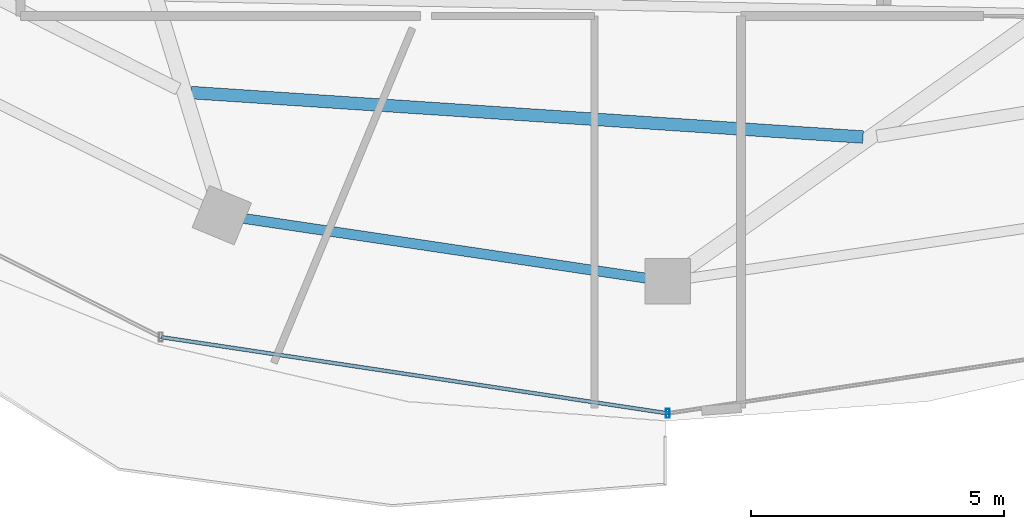
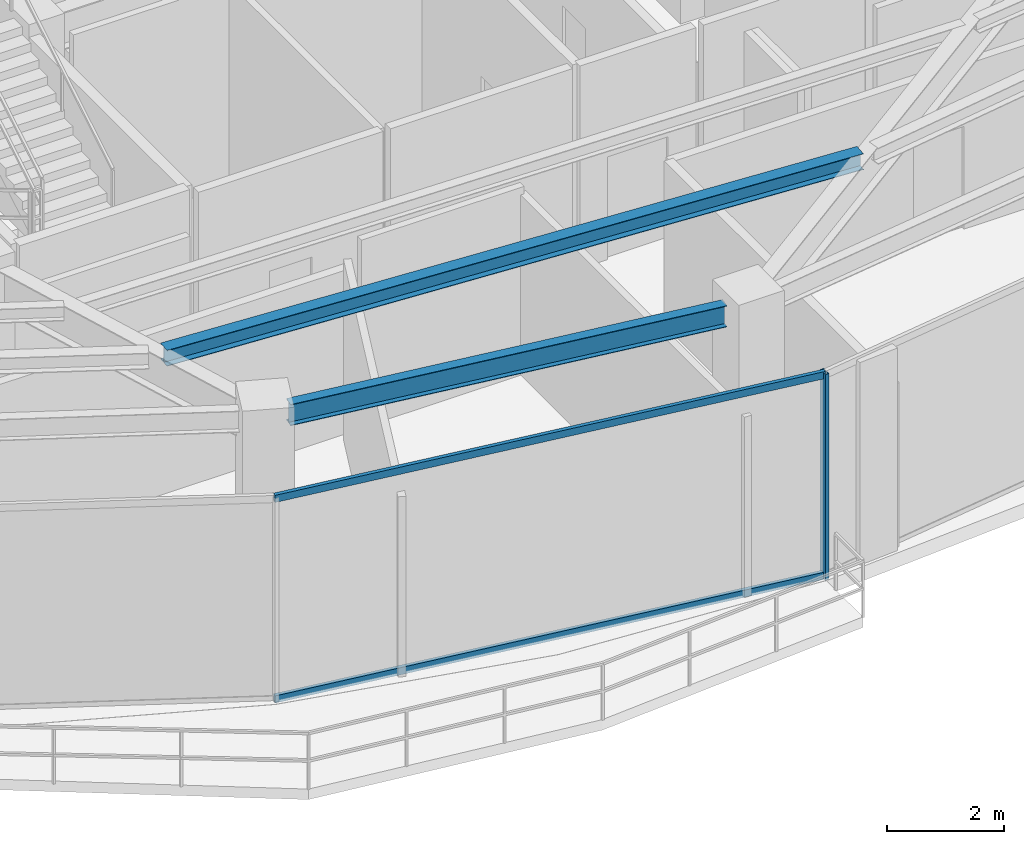
# One storey, part 5 of 27: 3 members, 2 beams, 1 element without a shape of its own.
"""IFC4 building model written with IfcOpenShell, lengths in metres."""

import ifcopenshell
import ifcopenshell.guid

model = None  # the IFC model being written
_history = None  # IfcOwnerHistory: only IFC2X3 demands one
_inside = {}  # id of a spatial element -> (the spatial element, [elements in it])
_under = {}  # id of a project, library or spatial element -> (it, [spatial elements below it])
_declared = {}  # id of a project -> (the project, [libraries it declares])
_typed = {}  # id of a type object -> (the type object, [elements of that type])
_made_of = {}  # id of a material, layer set ... -> (it, [elements and type objects made of it])


def new_model(schema):
    """Start an empty IFC model of exactly this schema.

    Asked for "IFC4X3", IfcOpenShell would pick the latest addendum, in which some entities
    have other attributes; the version numbers below select the first issue.
    IFC2X3 requires an IfcOwnerHistory on every rooted entity: one is made here for all.
    """
    global model, _history
    if schema == "IFC4X3":
        model = ifcopenshell.file(schema_version=(4, 3, 0, 0))
    else:
        model = ifcopenshell.file(schema=schema)
    _inside.clear()
    _under.clear()
    _declared.clear()
    _typed.clear()
    _made_of.clear()
    _history = None
    if model.schema == "IFC2X3":
        org = make("IfcOrganization", Name="unknown")
        user = make(
            "IfcPersonAndOrganization",
            ThePerson=make("IfcPerson", FamilyName="unknown"),
            TheOrganization=org,
        )
        app = make(
            "IfcApplication",
            ApplicationDeveloper=org,
            Version="unknown",
            ApplicationFullName="unknown",
            ApplicationIdentifier="unknown",
        )
        _history = make(
            "IfcOwnerHistory",
            OwningUser=user,
            OwningApplication=app,
            ChangeAction="ADDED",
            CreationDate=0,
        )
    return model


def make(cls, **values):
    """One entity of the class cls with the attributes given. An attribute that is None is left unset."""
    return model.create_entity(
        cls, **{name: value for name, value in values.items() if value is not None}
    )


def rooted(cls, **values):
    """An entity with a GlobalId (a new one), such as an element, a storey or a relation."""
    return make(cls, GlobalId=ifcopenshell.guid.new(), OwnerHistory=_history, **values)


def si_unit(unit_type, name, prefix=None):
    """IfcSIUnit, for example si_unit("LENGTHUNIT", "METRE", prefix="MILLI")."""
    return make("IfcSIUnit", UnitType=unit_type, Prefix=prefix, Name=name)


def assignment(units):
    """IfcUnitAssignment: the units of a project."""
    return None if units is None else make("IfcUnitAssignment", Units=units)


def point(xyz):
    """IfcCartesianPoint."""
    return None if xyz is None else make("IfcCartesianPoint", Coordinates=xyz)


def direction(xyz):
    """IfcDirection."""
    return None if xyz is None else make("IfcDirection", DirectionRatios=xyz)


def frame(location, z_axis=None, x_axis=None):
    """IfcAxis2Placement3D, a coordinate frame: its origin and axes. An axis left out is left unset."""
    return make(
        "IfcAxis2Placement3D",
        Location=point(location),
        Axis=direction(z_axis),
        RefDirection=direction(x_axis),
    )


def frame_2d(location, x_axis=None):
    """IfcAxis2Placement2D, a coordinate frame in the plane: its origin and x axis."""
    return make(
        "IfcAxis2Placement2D", Location=point(location), RefDirection=direction(x_axis)
    )


def origin():
    """The frame at (0, 0, 0) with its axes left unset."""
    return frame((0.0, 0.0, 0.0))


def origin_2d():
    """The frame at (0, 0) in the plane with its x axis left unset."""
    return frame_2d((0.0, 0.0))


def place(relative_to, where):
    """IfcLocalPlacement: puts the frame where relative to a parent placement (None: the world)."""
    return make(
        "IfcLocalPlacement", PlacementRelTo=relative_to, RelativePlacement=where
    )


def context(
    kind, dimensions, precision=None, world=None, true_north=None, identifier=None
):
    """IfcGeometricRepresentationContext, for example the 3D "Model" context."""
    return make(
        "IfcGeometricRepresentationContext",
        ContextIdentifier=identifier,
        ContextType=kind,
        CoordinateSpaceDimension=dimensions,
        Precision=precision,
        WorldCoordinateSystem=world,
        TrueNorth=true_north,
    )


def subcontext(parent, identifier, kind, view, scale=None):
    """IfcGeometricRepresentationSubContext, for example "Body" below "Model"."""
    return make(
        "IfcGeometricRepresentationSubContext",
        ContextIdentifier=identifier,
        ContextType=kind,
        ParentContext=parent,
        TargetScale=scale,
        TargetView=view,
    )


def project(units=None, contexts=None):
    """IfcProject with its units and contexts."""
    return rooted(
        "IfcProject",
        Name="project",
        RepresentationContexts=contexts,
        UnitsInContext=assignment(units),
    )


def spatial(cls, under=None, at=None, **own):
    """A site, building, storey or space (cls), placed at a placement, below another one or the project."""
    s = rooted(cls, ObjectPlacement=at, **own)
    if under is not None:
        _under.setdefault(under.id(), (under, []))[1].append(s)
    return s


def profile(cls, at=None, kind="AREA", **sizes):
    """A parametric profile (cls). Its sizes go by their IFC names, for example OverallWidth=200.0."""
    return make(cls, ProfileType=kind, Position=at, **sizes)


def hollow_rectangle(**sizes):
    """IfcRectangleHollowProfileDef."""
    return profile("IfcRectangleHollowProfileDef", **sizes)


def i_section(**sizes):
    """IfcIShapeProfileDef."""
    return profile("IfcIShapeProfileDef", **sizes)


def extrude(swept, where, along, depth):
    """IfcExtrudedAreaSolid: the profile swept, set in the frame where, extruded along a direction by depth."""
    return make(
        "IfcExtrudedAreaSolid",
        SweptArea=swept,
        Position=where,
        ExtrudedDirection=direction(along),
        Depth=depth,
    )


def shape(context_of_items, identifier, shape_type, items):
    """IfcShapeRepresentation: the items that make up one representation, for example the "Body"."""
    return make(
        "IfcShapeRepresentation",
        ContextOfItems=context_of_items,
        RepresentationIdentifier=identifier,
        RepresentationType=shape_type,
        Items=items,
    )


def material(Name=None, Category=None):
    """IfcMaterial."""
    return make("IfcMaterial", Name=Name, Category=Category)


def material_profile(
    of_material, cross_section, Name=None, Category=None, Priority=None
):
    """IfcMaterialProfile: a cross section and its material."""
    return make(
        "IfcMaterialProfile",
        Name=Name,
        Material=of_material,
        Profile=cross_section,
        Priority=Priority,
        Category=Category,
    )


def profile_set(profiles, Name=None, composite=None):
    """IfcMaterialProfileSet."""
    return make(
        "IfcMaterialProfileSet",
        Name=Name,
        MaterialProfiles=profiles,
        CompositeProfile=composite,
    )


def made_of(thing, what):
    """Note that an element or type object is made of a material, layer set ...; save() writes the relation."""
    if what is not None:
        _made_of.setdefault(what.id(), (what, []))[1].append(thing)
    return thing


def type_object(cls, material=None, **own):
    """A type object (cls), such as IfcWallType, which elements share."""
    return made_of(rooted(cls, **own), material)


def element(
    cls,
    number,
    at=None,
    inside=None,
    cuts=None,
    type_object=None,
    material=None,
    context=None,
    identifier="Body",
    shape_type=None,
    held_by="IfcProductDefinitionShape",
    body=None,
    shapes=None,
    **own,
):
    """One element of the class cls, such as IfcWall. Its Tag is "e" and its number.

    at: its placement. inside: the storey or other place that contains it. cuts: it is an
    opening in that element (IfcRelVoidsElement). A single representation is given by context,
    identifier, shape_type and body (its items); several are given by shapes. held_by: the class
    of the entity that holds the representations. save() writes the other relations.
    """
    e = rooted(cls, Tag="e%d" % number, ObjectPlacement=at, **own)
    if body is not None:
        shapes = [shape(context, identifier, shape_type, body)]
    if shapes is not None:
        e.Representation = make(held_by, Representations=shapes)
    if inside is not None:
        _inside.setdefault(inside.id(), (inside, []))[1].append(e)
    if cuts is not None:
        rooted(
            "IfcRelVoidsElement", RelatingBuildingElement=cuts, RelatedOpeningElement=e
        )
    if type_object is not None:
        _typed.setdefault(type_object.id(), (type_object, []))[1].append(e)
    return made_of(e, material)


def aggregate(whole, parts):
    """IfcRelAggregates: a whole, such as a stair, and the parts it consists of."""
    return rooted("IfcRelAggregates", RelatingObject=whole, RelatedObjects=parts)


def save(model, path):
    """Write the relations noted so far, then the file.

    IfcRelAggregates (storeys below a building ...), IfcRelContainedInSpatialStructure (elements
    in a storey), IfcRelDefinesByType, IfcRelAssociatesMaterial and IfcRelDeclares: one each for
    every whole, place, type object, material and project.
    """
    for whole, parts in _under.values():
        aggregate(whole, parts)
    for where, things in _inside.values():
        rooted(
            "IfcRelContainedInSpatialStructure",
            RelatedElements=things,
            RelatingStructure=where,
        )
    for kind, things in _typed.values():
        rooted("IfcRelDefinesByType", RelatedObjects=things, RelatingType=kind)
    for what, things in _made_of.values():
        rooted("IfcRelAssociatesMaterial", RelatedObjects=things, RelatingMaterial=what)
    for by, libraries in _declared.values():
        rooted("IfcRelDeclares", RelatingContext=by, RelatedDefinitions=libraries)
    model.write(path)


model = new_model("IFC4")

# Units and contexts
model_context = context("Model", 3, precision=1e-05, world=origin(), true_north=direction((0.0, 1.0)))
body_context = subcontext(model_context, "Body", "Model", "MODEL_VIEW")
ifc_project = project(units=[si_unit("LENGTHUNIT", "METRE"), si_unit("AREAUNIT", "SQUARE_METRE"), si_unit("VOLUMEUNIT", "CUBIC_METRE"), si_unit("PLANEANGLEUNIT", "RADIAN"), si_unit("MASSUNIT", "GRAM", prefix="KILO")], contexts=[model_context])

# Site, building, storey
site_placement = place(None, origin())
site = spatial("IfcSite", under=ifc_project, at=site_placement, CompositionType="ELEMENT")
building_placement = place(site_placement, origin())
building = spatial("IfcBuilding", under=site, at=building_placement, Name="Vorneva Point Tower", CompositionType="ELEMENT")
storey_placement = place(building_placement, frame((0.0, 0.0, 229.75)))
storey = spatial("IfcBuildingStorey", under=building, at=storey_placement, Name="L62", CompositionType="ELEMENT", Elevation=229.75)

# Beams
ifc_material_1 = material(Name="Steel S355", Category="steel")
ifc_material_profile_1 = material_profile(ifc_material_1, i_section(OverallWidth=0.2490234375, OverallDepth=0.333984375, WebThickness=0.008056640625, FlangeThickness=0.010986328125, at=origin_2d()), Name="35Sh1")
ifc_profile_set_1 = profile_set([ifc_material_profile_1], Name="Steel S355")
beam_type_1 = type_object("IfcBeamType", Name="BM-SEC-35Sh1", PredefinedType="BEAM", material=ifc_profile_set_1)
beam_1_placement = place(storey_placement, frame((28.576416015625, 12.533935546875, 4.072998046875), z_axis=(0.997817414317, -0.066033383117, 0.0), x_axis=(0.066033383117, 0.997817414317, 0.0)))
element("IfcBeam", 1, at=beam_1_placement, inside=storey, type_object=beam_type_1, Name="L62 Secondary Floor Beam 1.12", PredefinedType="BEAM", context=body_context, shape_type="SweptSolid", body=[
    extrude(i_section(OverallWidth=0.2490234375, OverallDepth=0.333984375, WebThickness=0.008056640625, FlangeThickness=0.010986328125, at=origin_2d()), origin(), (0.0, 0.0, 1.0), 13.313720703125),
])
ifc_material_profile_2 = material_profile(ifc_material_1, i_section(OverallWidth=0.198974609375, OverallDepth=0.446044921875, WebThickness=0.008056640625, FlangeThickness=0.011962890625, at=origin_2d()), Name="45B1")
ifc_profile_set_2 = profile_set([ifc_material_profile_2], Name="Steel S355")
beam_type_2 = type_object("IfcBeamType", Name="BM-SPN-45B1", PredefinedType="SPANDREL", material=ifc_profile_set_2)
beam_2_placement = place(storey_placement, frame((29.609375, 10.04541015625, 4.01708984375), z_axis=(0.989165476332, -0.146804837907, 0.0), x_axis=(0.146804837907, 0.989165476332, 0.0)))
element("IfcBeam", 2, at=beam_2_placement, inside=storey, type_object=beam_type_2, Name="L62 Perimeter Spandrel Ring Beam 12", PredefinedType="SPANDREL", context=body_context, shape_type="SweptSolid", body=[
    extrude(i_section(OverallWidth=0.198974609375, OverallDepth=0.446044921875, WebThickness=0.008056640625, FlangeThickness=0.011962890625, at=origin_2d()), origin(), (0.0, 0.0, 1.0), 8.04736328125),
])

# Curtain wall, members
ifc_material_2 = material(Name="Pale anodised aluminium", Category="aluminium")
curtain_wall_type = type_object("IfcCurtainWallType", Name="CW-SKY-SYS", PredefinedType="NOTDEFINED", material=ifc_material_2)
curtain_wall_placement = place(storey_placement, origin())
curtain_wall = element("IfcCurtainWall", 3, at=curtain_wall_placement, inside=storey, type_object=curtain_wall_type, Name="L62 Unitised Curtain Wall CW-L62-R04", PredefinedType="NOTDEFINED")
ifc_material_profile_3 = material_profile(ifc_material_2, hollow_rectangle(XDim=0.074951171875, YDim=0.179931640625, WallThickness=0.00390625, at=origin_2d()), Name="AL-MUL 180x75x4")
ifc_profile_set_3 = profile_set([ifc_material_profile_3], Name="Pale anodised aluminium")
member_type_1 = type_object("IfcMemberType", Name="CW-MUL-180", PredefinedType="MULLION", material=ifc_profile_set_3)
member_1_placement = place(storey_placement, frame((38.0, 6.18994140625, -0.0400390625), z_axis=(0.0, 0.0, 1.0), x_axis=(1.0, 0.0, 0.0)))
member_1 = element("IfcMember", 4, at=member_1_placement, type_object=member_type_1, Name="CW-L62-R04 Mullion 03", PredefinedType="MULLION", context=body_context, shape_type="SweptSolid", body=[
    extrude(hollow_rectangle(XDim=0.074951171875, YDim=0.179931640625, WallThickness=0.00390625, at=origin_2d()), origin(), (0.0, 0.0, 1.0), 4.31005859375),
])
ifc_material_profile_4 = material_profile(ifc_material_2, hollow_rectangle(XDim=0.074951171875, YDim=0.14990234375, WallThickness=0.00390625, at=origin_2d()), Name="AL-TRN 150x75x4")
ifc_profile_set_4 = profile_set([ifc_material_profile_4], Name="Pale anodised aluminium")
member_type_2 = type_object("IfcMemberType", Name="CW-TRN-150", PredefinedType="USERDEFINED", material=ifc_profile_set_4)
member_2_placement = place(storey_placement, frame((27.9736328125, 7.697998046875, 0.02001953125), z_axis=(0.988876929856, -0.148736066907, 0.0), x_axis=(0.148736066907, 0.988876929856, 0.0)))
member_2 = element("IfcMember", 5, at=member_2_placement, type_object=member_type_2, Name="CW-L62-R04 Transom 02.1", ObjectType="TRANSOM", PredefinedType="USERDEFINED", context=body_context, shape_type="SweptSolid", body=[
    extrude(hollow_rectangle(XDim=0.074951171875, YDim=0.14990234375, WallThickness=0.00390625, at=origin_2d()), origin(), (0.0, 0.0, 1.0), 10.13916015625),
])
member_3_placement = place(storey_placement, frame((27.9736328125, 7.697998046875, 4.219970703125), z_axis=(0.988876929856, -0.148736066907, 0.0), x_axis=(0.148736066907, 0.988876929856, 0.0)))
member_3 = element("IfcMember", 6, at=member_3_placement, type_object=member_type_2, Name="CW-L62-R04 Transom 02.2", ObjectType="TRANSOM", PredefinedType="USERDEFINED", context=body_context, shape_type="SweptSolid", body=[
    extrude(hollow_rectangle(XDim=0.074951171875, YDim=0.14990234375, WallThickness=0.00390625, at=origin_2d()), origin(), (0.0, 0.0, 1.0), 10.13916015625),
])
aggregate(curtain_wall, [member_1, member_2, member_3])

save(model, "model.ifc")
